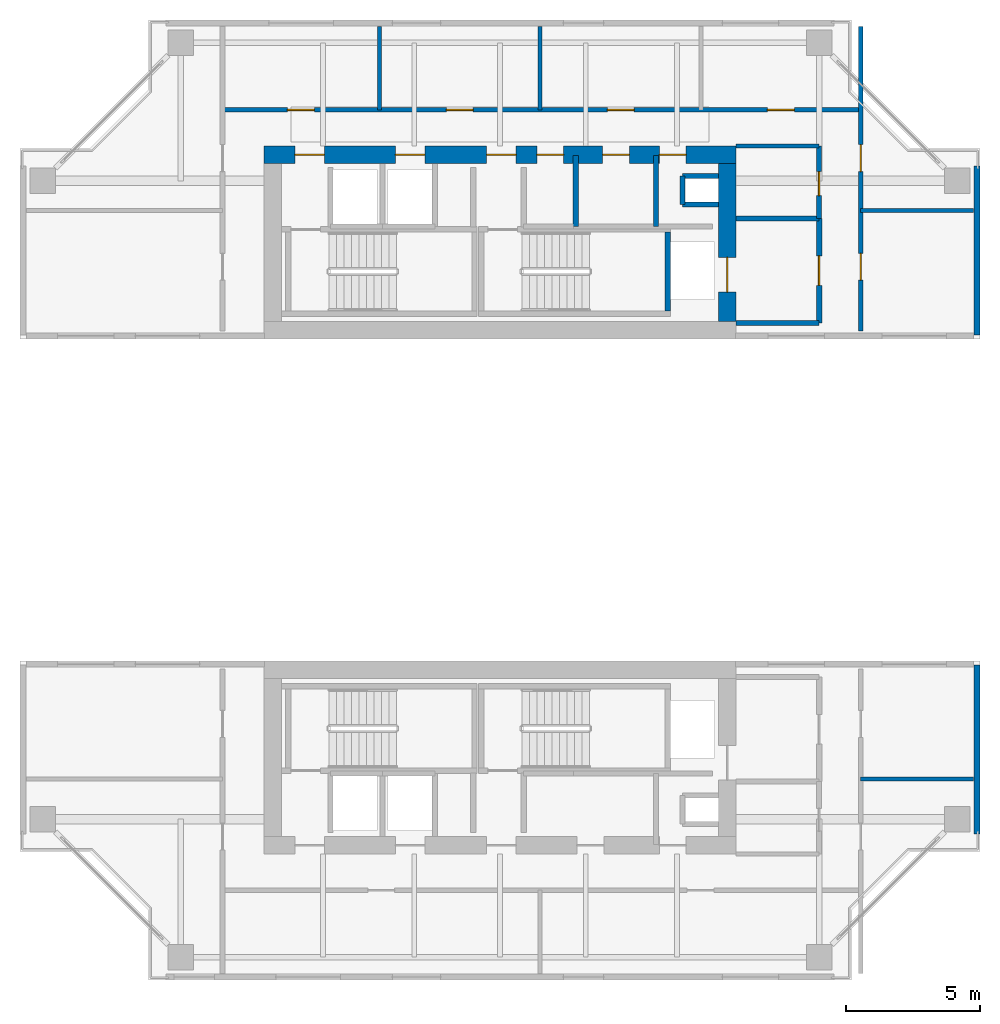
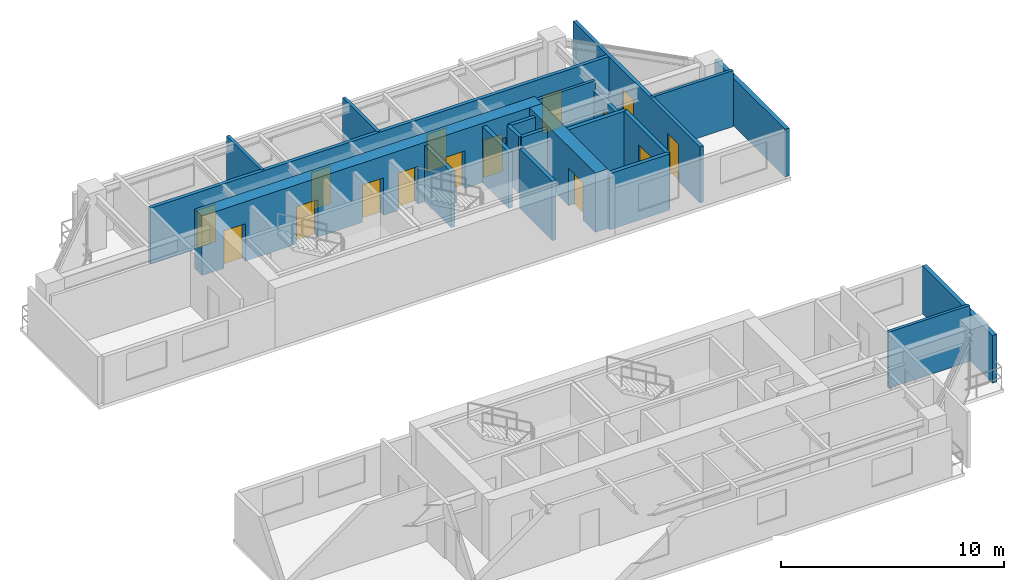
# One storey, part 9 of 12: 21 walls, 15 doors, 15 openings.
"""IFC4 building model written with IfcOpenShell, lengths in metres."""

import ifcopenshell
import ifcopenshell.guid

model = None  # the IFC model being written
_history = None  # IfcOwnerHistory: only IFC2X3 demands one
_inside = {}  # id of a spatial element -> (the spatial element, [elements in it])
_under = {}  # id of a project, library or spatial element -> (it, [spatial elements below it])
_declared = {}  # id of a project -> (the project, [libraries it declares])
_typed = {}  # id of a type object -> (the type object, [elements of that type])
_made_of = {}  # id of a material, layer set ... -> (it, [elements and type objects made of it])


def new_model(schema):
    """Start an empty IFC model of exactly this schema.

    Asked for "IFC4X3", IfcOpenShell would pick the latest addendum, in which some entities
    have other attributes; the version numbers below select the first issue.
    IFC2X3 requires an IfcOwnerHistory on every rooted entity: one is made here for all.
    """
    global model, _history
    if schema == "IFC4X3":
        model = ifcopenshell.file(schema_version=(4, 3, 0, 0))
    else:
        model = ifcopenshell.file(schema=schema)
    _inside.clear()
    _under.clear()
    _declared.clear()
    _typed.clear()
    _made_of.clear()
    _history = None
    if model.schema == "IFC2X3":
        org = make("IfcOrganization", Name="unknown")
        user = make(
            "IfcPersonAndOrganization",
            ThePerson=make("IfcPerson", FamilyName="unknown"),
            TheOrganization=org,
        )
        app = make(
            "IfcApplication",
            ApplicationDeveloper=org,
            Version="unknown",
            ApplicationFullName="unknown",
            ApplicationIdentifier="unknown",
        )
        _history = make(
            "IfcOwnerHistory",
            OwningUser=user,
            OwningApplication=app,
            ChangeAction="ADDED",
            CreationDate=0,
        )
    return model


def make(cls, **values):
    """One entity of the class cls with the attributes given. An attribute that is None is left unset."""
    return model.create_entity(
        cls, **{name: value for name, value in values.items() if value is not None}
    )


def rooted(cls, **values):
    """An entity with a GlobalId (a new one), such as an element, a storey or a relation."""
    return make(cls, GlobalId=ifcopenshell.guid.new(), OwnerHistory=_history, **values)


def si_unit(unit_type, name, prefix=None):
    """IfcSIUnit, for example si_unit("LENGTHUNIT", "METRE", prefix="MILLI")."""
    return make("IfcSIUnit", UnitType=unit_type, Prefix=prefix, Name=name)


def assignment(units):
    """IfcUnitAssignment: the units of a project."""
    return None if units is None else make("IfcUnitAssignment", Units=units)


def point(xyz):
    """IfcCartesianPoint."""
    return None if xyz is None else make("IfcCartesianPoint", Coordinates=xyz)


def direction(xyz):
    """IfcDirection."""
    return None if xyz is None else make("IfcDirection", DirectionRatios=xyz)


def frame(location, z_axis=None, x_axis=None):
    """IfcAxis2Placement3D, a coordinate frame: its origin and axes. An axis left out is left unset."""
    return make(
        "IfcAxis2Placement3D",
        Location=point(location),
        Axis=direction(z_axis),
        RefDirection=direction(x_axis),
    )


def frame_2d(location, x_axis=None):
    """IfcAxis2Placement2D, a coordinate frame in the plane: its origin and x axis."""
    return make(
        "IfcAxis2Placement2D", Location=point(location), RefDirection=direction(x_axis)
    )


def origin():
    """The frame at (0, 0, 0) with its axes left unset."""
    return frame((0.0, 0.0, 0.0))


def place(relative_to, where):
    """IfcLocalPlacement: puts the frame where relative to a parent placement (None: the world)."""
    return make(
        "IfcLocalPlacement", PlacementRelTo=relative_to, RelativePlacement=where
    )


def context(
    kind, dimensions, precision=None, world=None, true_north=None, identifier=None
):
    """IfcGeometricRepresentationContext, for example the 3D "Model" context."""
    return make(
        "IfcGeometricRepresentationContext",
        ContextIdentifier=identifier,
        ContextType=kind,
        CoordinateSpaceDimension=dimensions,
        Precision=precision,
        WorldCoordinateSystem=world,
        TrueNorth=true_north,
    )


def subcontext(parent, identifier, kind, view, scale=None):
    """IfcGeometricRepresentationSubContext, for example "Body" below "Model"."""
    return make(
        "IfcGeometricRepresentationSubContext",
        ContextIdentifier=identifier,
        ContextType=kind,
        ParentContext=parent,
        TargetScale=scale,
        TargetView=view,
    )


def project(units=None, contexts=None):
    """IfcProject with its units and contexts."""
    return rooted(
        "IfcProject",
        Name="project",
        RepresentationContexts=contexts,
        UnitsInContext=assignment(units),
    )


def spatial(cls, under=None, at=None, **own):
    """A site, building, storey or space (cls), placed at a placement, below another one or the project."""
    s = rooted(cls, ObjectPlacement=at, **own)
    if under is not None:
        _under.setdefault(under.id(), (under, []))[1].append(s)
    return s


def profile(cls, at=None, kind="AREA", **sizes):
    """A parametric profile (cls). Its sizes go by their IFC names, for example OverallWidth=200.0."""
    return make(cls, ProfileType=kind, Position=at, **sizes)


def rectangle(**sizes):
    """IfcRectangleProfileDef."""
    return profile("IfcRectangleProfileDef", **sizes)


def extrude(swept, where, along, depth):
    """IfcExtrudedAreaSolid: the profile swept, set in the frame where, extruded along a direction by depth."""
    return make(
        "IfcExtrudedAreaSolid",
        SweptArea=swept,
        Position=where,
        ExtrudedDirection=direction(along),
        Depth=depth,
    )


def shape(context_of_items, identifier, shape_type, items):
    """IfcShapeRepresentation: the items that make up one representation, for example the "Body"."""
    return make(
        "IfcShapeRepresentation",
        ContextOfItems=context_of_items,
        RepresentationIdentifier=identifier,
        RepresentationType=shape_type,
        Items=items,
    )


def source(mapping_origin, context_of_items, identifier, shape_type, items):
    """IfcRepresentationMap: a shape defined once, which mapped items show again and again."""
    return make(
        "IfcRepresentationMap",
        MappingOrigin=mapping_origin,
        MappedRepresentation=shape(context_of_items, identifier, shape_type, items),
    )


def transform(
    local_origin,
    x_axis=None,
    y_axis=None,
    z_axis=None,
    scale=None,
    scale2=None,
    scale3=None,
    uniform=True,
):
    """IfcCartesianTransformationOperator3D, or its non-uniform kind. x_axis, y_axis, z_axis: its Axis1, 2, 3."""
    if uniform:
        return make(
            "IfcCartesianTransformationOperator3D",
            Axis1=direction(x_axis),
            Axis2=direction(y_axis),
            LocalOrigin=point(local_origin),
            Scale=scale,
            Axis3=direction(z_axis),
        )
    return make(
        "IfcCartesianTransformationOperator3DnonUniform",
        Axis1=direction(x_axis),
        Axis2=direction(y_axis),
        LocalOrigin=point(local_origin),
        Scale=scale,
        Axis3=direction(z_axis),
        Scale2=scale2,
        Scale3=scale3,
    )


def mapped(mapping_source, mapping_target):
    """IfcMappedItem: shows the shape of a source again, moved by a transform."""
    return make(
        "IfcMappedItem", MappingSource=mapping_source, MappingTarget=mapping_target
    )


def material(Name=None, Category=None):
    """IfcMaterial."""
    return make("IfcMaterial", Name=Name, Category=Category)


def layer(
    of_material, thickness, ventilated=None, Name=None, Category=None, Priority=None
):
    """IfcMaterialLayer: one layer of a wall or slab, of a material (None: an air gap)."""
    return make(
        "IfcMaterialLayer",
        Material=of_material,
        LayerThickness=thickness,
        IsVentilated=ventilated,
        Name=Name,
        Category=Category,
        Priority=Priority,
    )


def layer_set(layers, Name=None):
    """IfcMaterialLayerSet."""
    return make("IfcMaterialLayerSet", MaterialLayers=layers, LayerSetName=Name)


def made_of(thing, what):
    """Note that an element or type object is made of a material, layer set ...; save() writes the relation."""
    if what is not None:
        _made_of.setdefault(what.id(), (what, []))[1].append(thing)
    return thing


def type_object(cls, material=None, **own):
    """A type object (cls), such as IfcWallType, which elements share."""
    return made_of(rooted(cls, **own), material)


def element(
    cls,
    number,
    at=None,
    inside=None,
    cuts=None,
    type_object=None,
    material=None,
    context=None,
    identifier="Body",
    shape_type=None,
    held_by="IfcProductDefinitionShape",
    body=None,
    shapes=None,
    **own,
):
    """One element of the class cls, such as IfcWall. Its Tag is "e" and its number.

    at: its placement. inside: the storey or other place that contains it. cuts: it is an
    opening in that element (IfcRelVoidsElement). A single representation is given by context,
    identifier, shape_type and body (its items); several are given by shapes. held_by: the class
    of the entity that holds the representations. save() writes the other relations.
    """
    e = rooted(cls, Tag="e%d" % number, ObjectPlacement=at, **own)
    if body is not None:
        shapes = [shape(context, identifier, shape_type, body)]
    if shapes is not None:
        e.Representation = make(held_by, Representations=shapes)
    if inside is not None:
        _inside.setdefault(inside.id(), (inside, []))[1].append(e)
    if cuts is not None:
        rooted(
            "IfcRelVoidsElement", RelatingBuildingElement=cuts, RelatedOpeningElement=e
        )
    if type_object is not None:
        _typed.setdefault(type_object.id(), (type_object, []))[1].append(e)
    return made_of(e, material)


def fill(opening, filler):
    """IfcRelFillsElement: the door or window that sits in an opening."""
    return rooted(
        "IfcRelFillsElement",
        RelatingOpeningElement=opening,
        RelatedBuildingElement=filler,
    )


def aggregate(whole, parts):
    """IfcRelAggregates: a whole, such as a stair, and the parts it consists of."""
    return rooted("IfcRelAggregates", RelatingObject=whole, RelatedObjects=parts)


def save(model, path):
    """Write the relations noted so far, then the file.

    IfcRelAggregates (storeys below a building ...), IfcRelContainedInSpatialStructure (elements
    in a storey), IfcRelDefinesByType, IfcRelAssociatesMaterial and IfcRelDeclares: one each for
    every whole, place, type object, material and project.
    """
    for whole, parts in _under.values():
        aggregate(whole, parts)
    for where, things in _inside.values():
        rooted(
            "IfcRelContainedInSpatialStructure",
            RelatedElements=things,
            RelatingStructure=where,
        )
    for kind, things in _typed.values():
        rooted("IfcRelDefinesByType", RelatedObjects=things, RelatingType=kind)
    for what, things in _made_of.values():
        rooted("IfcRelAssociatesMaterial", RelatedObjects=things, RelatingMaterial=what)
    for by, libraries in _declared.values():
        rooted("IfcRelDeclares", RelatingContext=by, RelatedDefinitions=libraries)
    model.write(path)


model = new_model("IFC4")

# Units and contexts
model_context = context("Model", 3, precision=1e-05, world=origin(), true_north=direction((0.0, 1.0)))
body_context = subcontext(model_context, "Body", "Model", "MODEL_VIEW")
ifc_project = project(units=[si_unit("LENGTHUNIT", "METRE"), si_unit("AREAUNIT", "SQUARE_METRE"), si_unit("VOLUMEUNIT", "CUBIC_METRE"), si_unit("PLANEANGLEUNIT", "RADIAN"), si_unit("MASSUNIT", "GRAM", prefix="KILO"), si_unit("THERMODYNAMICTEMPERATUREUNIT", "KELVIN"), si_unit("POWERUNIT", "WATT")], contexts=[model_context])

# Site, building, storey
site_placement = place(None, origin())
site = spatial("IfcSite", under=ifc_project, at=site_placement, CompositionType="ELEMENT")
building_placement = place(site_placement, origin())
building = spatial("IfcBuilding", under=site, at=building_placement, Name="Qiaomeng Ring Towers", CompositionType="ELEMENT")
storey_placement = place(building_placement, frame((0.0, 0.0, 166.5)))
storey = spatial("IfcBuildingStorey", under=building, at=storey_placement, Name="L48", CompositionType="ELEMENT", Elevation=166.5)

# Walls
ifc_material_1 = material(Name="Precast concrete C40", Category="concrete")
ifc_layer_1 = layer(ifc_material_1, 0.219970703125, Name="Precast concrete C40")
ifc_layer_set_1 = layer_set([ifc_layer_1], Name="Precast concrete C40")
wall_type_1 = type_object("IfcWallType", Name="ARC-WL-EW2", PredefinedType="STANDARD", material=ifc_layer_set_1)
for number, where, z_axis, x_axis, name in (
    (1, (36.7900390625, 29.14990234375, 0.0), (0.0, 0.0, 1.0), (0.0, 1.0, 0.0), "L48 Portal Wing Side Wall NWING-EL"),
    (2, (36.7900390625, 10.550048828125, 0.0), (0.0, 0.0, 1.0), (0.0, 1.0, 0.0), "L48 Portal Wing Side Wall SWING-EL"),
):
    element("IfcWall", number, at=place(storey_placement, frame(where, z_axis=z_axis, x_axis=x_axis)), inside=storey, type_object=wall_type_1, Name=name, PredefinedType="STANDARD", context=body_context, shape_type="SweptSolid", body=[
        extrude(rectangle(XDim=6.300048828125, YDim=0.219970703125, at=frame_2d((3.14990234375, 0.0))), origin(), (0.0, 0.0, 1.0), 2.610107421875),
    ])
ifc_material_2 = material(Name="Autoclaved aerated concrete block", Category="concrete")
ifc_layer_2 = layer(ifc_material_2, 0.199951171875, Name="Autoclaved aerated concrete block")
ifc_layer_set_2 = layer_set([ifc_layer_2], Name="Autoclaved aerated concrete block")
wall_type_2 = type_object("IfcWallType", Name="ARC-WL-PW1", PredefinedType="PARTITIONING", material=ifc_layer_set_2)
for number, where, z_axis, x_axis, name in (
    (3, (27.800048828125, 29.60009765625, 0.0), (0.0, 0.0, 1.0), (1.0, 0.0, 0.0), "L48 Interior Wall PW1"),
    (4, (27.800048828125, 33.5, 0.0), (0.0, 0.0, 1.0), (1.0, 0.0, 0.0), "L48 Interior Wall PW1"),
):
    element("IfcWall", number, at=place(storey_placement, frame(where, z_axis=z_axis, x_axis=x_axis)), inside=storey, type_object=wall_type_2, Name=name, PredefinedType="PARTITIONING", context=body_context, shape_type="SweptSolid", body=[
        extrude(rectangle(XDim=3.099853515625, YDim=0.199951171875, at=frame_2d((1.5498046875, 0.0))), origin(), (0.0, 0.0, 1.0), 3.070068359375),
    ])

# Wall, opening, door
wall_1_placement = place(storey_placement, frame((30.89990234375, 29.60009765625, 0.0), z_axis=(0.0, 0.0, 1.0), x_axis=(0.0, 1.0, 0.0)))
wall_1 = element("IfcWall", 5, at=wall_1_placement, inside=storey, type_object=wall_type_2, Name="L48 Interior Wall PW1", PredefinedType="PARTITIONING", context=body_context, shape_type="SweptSolid", body=[
    extrude(rectangle(XDim=3.89990234375, YDim=0.199951171875, at=frame_2d((1.949951171875, 0.0))), origin(), (0.0, 0.0, 1.0), 3.070068359375),
])
opening_1_placement = place(wall_1_placement, frame((1.39990234375, 0.0, 0.0)))
opening_1 = element("IfcOpeningElement", 6, at=opening_1_placement, cuts=wall_1, Name="Opening FD3", PredefinedType="OPENING", context=body_context, shape_type="SweptSolid", body=[
    extrude(rectangle(XDim=1.10009765625, YDim=2.050048828125, at=frame_2d((0.550048828125, 1.02490234375))), frame((0.0, 0.10986328125, 0.0), z_axis=(0.0, -1.0, 0.0), x_axis=(1.0, 0.0, 0.0)), (0.0, 0.0, 1.0), 0.219970703125),
])
ifc_material_3 = material(Name="Galvanised steel", Category="steel")
door_type_1 = type_object("IfcDoorType", Name="ARC-DR-FD3", OperationType="NOTDEFINED", PredefinedType="DOOR", material=ifc_material_3)
shared_shape_1 = source(origin(), body_context, "Body", "SweptSolid", [
    extrude(rectangle(XDim=1.10009765625, YDim=2.050048828125, at=frame_2d((0.550048828125, 1.02490234375))), frame((0.0, 0.02490234375, 0.0), z_axis=(0.0, -1.0, 0.0), x_axis=(1.0, 0.0, 0.0)), (0.0, 0.0, 1.0), 0.050048828125),
])
door_1_placement = place(opening_1_placement, origin())
door_1 = element("IfcDoor", 7, at=door_1_placement, inside=storey, type_object=door_type_1, Name="L48 North FF Lobby Door", OperationType="SINGLE_SWING_LEFT", OverallHeight=2.050048828125, OverallWidth=1.10009765625, PredefinedType="DOOR", context=body_context, shape_type="MappedRepresentation", body=[
    mapped(shared_shape_1, transform((0.0, 0.0, 0.0), x_axis=(1.0, 0.0, 0.0), y_axis=(0.0, 1.0, 0.0), z_axis=(0.0, 0.0, 1.0), scale=1.0)),
])
fill(opening_1, door_1)

# Walls
for number, where, z_axis, x_axis, name in (
    (8, (24.820068359375, 33.199951171875, 0.0), (0.0, 0.0, 1.0), (0.0, 1.0, 0.0), "L48 Interior Wall PW1"),
    (9, (21.830078125, 33.199951171875, 0.0), (0.0, 0.0, 1.0), (0.0, 1.0, 0.0), "L48 Interior Wall PW1"),
):
    element("IfcWall", number, at=place(storey_placement, frame(where, z_axis=z_axis, x_axis=x_axis)), inside=storey, type_object=wall_type_2, Name=name, PredefinedType="PARTITIONING", context=body_context, shape_type="SweptSolid", body=[
        extrude(rectangle(XDim=2.650146484375, YDim=0.199951171875, at=frame_2d((1.3251953125, 0.0))), origin(), (0.0, 0.0, 1.0), 3.070068359375),
    ])

# Wall, opening, door
ifc_layer_3 = layer(ifc_material_2, 0.179931640625, Name="Autoclaved aerated concrete block")
ifc_layer_set_3 = layer_set([ifc_layer_3], Name="Autoclaved aerated concrete block")
wall_type_3 = type_object("IfcWallType", Name="ARC-WL-PW2", PredefinedType="PARTITIONING", material=ifc_layer_set_3)
wall_2_placement = place(storey_placement, frame((30.89990234375, 33.5, 0.0), z_axis=(0.0, 0.0, 1.0), x_axis=(0.0, 1.0, 0.0)))
wall_2 = element("IfcWall", 10, at=wall_2_placement, inside=storey, type_object=wall_type_3, Name="L48 Interior Wall PW2", PredefinedType="PARTITIONING", context=body_context, shape_type="SweptSolid", body=[
    extrude(rectangle(XDim=2.699951171875, YDim=0.179931640625, at=frame_2d((1.35009765625, 0.0))), origin(), (0.0, 0.0, 1.0), 2.56494140625),
])
opening_2_placement = place(wall_2_placement, frame((0.85009765625, 0.0, 0.0)))
opening_2 = element("IfcOpeningElement", 11, at=opening_2_placement, cuts=wall_2, Name="Opening ID1", PredefinedType="OPENING", context=body_context, shape_type="SweptSolid", body=[
    extrude(rectangle(XDim=0.89990234375, YDim=2.050048828125, at=frame_2d((0.449951171875, 1.02490234375))), frame((0.0, 0.099853515625, 0.0), z_axis=(0.0, -1.0, 0.0), x_axis=(1.0, 0.0, 0.0)), (0.0, 0.0, 1.0), 0.199951171875),
])
ifc_material_4 = material(Name="Engineered oak timber", Category="wood")
door_type_2 = type_object("IfcDoorType", Name="ARC-DR-ID1", OperationType="NOTDEFINED", PredefinedType="DOOR", material=ifc_material_4)
shared_shape_2 = source(origin(), body_context, "Body", "SweptSolid", [
    extrude(rectangle(XDim=0.89990234375, YDim=2.050048828125, at=frame_2d((0.449951171875, 1.02490234375))), frame((0.0, 0.02490234375, 0.0), z_axis=(0.0, -1.0, 0.0), x_axis=(1.0, 0.0, 0.0)), (0.0, 0.0, 1.0), 0.050048828125),
])
door_2_placement = place(opening_2_placement, origin())
door_2 = element("IfcDoor", 12, at=door_2_placement, inside=storey, type_object=door_type_2, Name="L48 Door ID1", OperationType="SINGLE_SWING_RIGHT", OverallHeight=2.050048828125, OverallWidth=0.89990234375, PredefinedType="DOOR", context=body_context, shape_type="MappedRepresentation", body=[
    mapped(shared_shape_2, transform((0.0, 0.0, 0.0), x_axis=(1.0, 0.0, 0.0), y_axis=(0.0, 1.0, 0.0), z_axis=(0.0, 0.0, 1.0), scale=1.0)),
])
fill(opening_2, door_2)

# Wall, openings, doors
wall_3_placement = place(storey_placement, frame((32.449951171875, 29.300048828125, 0.0), z_axis=(0.0, 0.0, 1.0), x_axis=(0.0, 1.0, 0.0)))
wall_3 = element("IfcWall", 13, at=wall_3_placement, inside=storey, type_object=wall_type_3, Name="L48 Interior Wall PW2", PredefinedType="PARTITIONING", context=body_context, shape_type="SweptSolid", body=[
    extrude(rectangle(XDim=11.349853515625, YDim=0.179931640625, at=frame_2d((5.6748046875, 0.0))), origin(), (0.0, 0.0, 1.0), 3.070068359375),
])
opening_3_placement = place(wall_3_placement, frame((1.89990234375, 0.0, 0.0)))
opening_3 = element("IfcOpeningElement", 14, at=opening_3_placement, cuts=wall_3, Name="Opening FD4", PredefinedType="OPENING", context=body_context, shape_type="SweptSolid", body=[
    extrude(rectangle(XDim=1.0, YDim=2.050048828125, at=frame_2d((0.5, 1.02490234375))), frame((0.0, 0.099853515625, 0.0), z_axis=(0.0, -1.0, 0.0), x_axis=(1.0, 0.0, 0.0)), (0.0, 0.0, 1.0), 0.199951171875),
])
opening_4_placement = place(wall_3_placement, frame((5.949951171875, 0.0, 0.0)))
opening_4 = element("IfcOpeningElement", 15, at=opening_4_placement, cuts=wall_3, Name="Opening FD4", PredefinedType="OPENING", context=body_context, shape_type="SweptSolid", body=[
    extrude(rectangle(XDim=1.0, YDim=2.050048828125, at=frame_2d((0.5, 1.02490234375))), frame((0.0, 0.099853515625, 0.0), z_axis=(0.0, -1.0, 0.0), x_axis=(1.0, 0.0, 0.0)), (0.0, 0.0, 1.0), 0.199951171875),
])
ifc_material_5 = material(Name="Engineered fire-rated oak timber", Category="wood")
door_type_3 = type_object("IfcDoorType", Name="ARC-DR-FD4", OperationType="NOTDEFINED", PredefinedType="DOOR", material=ifc_material_5)
shared_shape_3 = source(origin(), body_context, "Body", "SweptSolid", [
    extrude(rectangle(XDim=1.0, YDim=2.050048828125, at=frame_2d((0.5, 1.02490234375))), frame((0.0, 0.02490234375, 0.0), z_axis=(0.0, -1.0, 0.0), x_axis=(1.0, 0.0, 0.0)), (0.0, 0.0, 1.0), 0.050048828125),
])
door_3_placement = place(opening_3_placement, origin())
door_3 = element("IfcDoor", 16, at=door_3_placement, inside=storey, type_object=door_type_3, Name="L48 Door FD4", OperationType="SINGLE_SWING_RIGHT", OverallHeight=2.050048828125, OverallWidth=1.0, PredefinedType="DOOR", context=body_context, shape_type="MappedRepresentation", body=[
    mapped(shared_shape_3, transform((0.0, 0.0, 0.0), x_axis=(1.0, 0.0, 0.0), y_axis=(0.0, 1.0, 0.0), z_axis=(0.0, 0.0, 1.0), scale=1.0)),
])
fill(opening_3, door_3)
door_4_placement = place(opening_4_placement, origin())
door_4 = element("IfcDoor", 17, at=door_4_placement, inside=storey, type_object=door_type_3, Name="L48 Door FD4", OperationType="SINGLE_SWING_LEFT", OverallHeight=2.050048828125, OverallWidth=1.0, PredefinedType="DOOR", context=body_context, shape_type="MappedRepresentation", body=[
    mapped(shared_shape_3, transform((0.0, 0.0, 0.0), x_axis=(1.0, 0.0, 0.0), y_axis=(0.0, 1.0, 0.0), z_axis=(0.0, 0.0, 1.0), scale=1.0)),
])
fill(opening_4, door_4)

wall_4_placement = place(storey_placement, frame((8.64990234375, 37.550048828125, 0.0), z_axis=(0.0, 0.0, 1.0), x_axis=(1.0, 0.0, 0.0)))
wall_4 = element("IfcWall", 18, at=wall_4_placement, inside=storey, type_object=wall_type_3, Name="L48 Interior Wall PW2", PredefinedType="PARTITIONING", context=body_context, shape_type="SweptSolid", body=[
    extrude(rectangle(XDim=23.800048828125, YDim=0.179931640625, at=frame_2d((11.89990234375, 0.0))), origin(), (0.0, 0.0, 1.0), 3.070068359375),
])
opening_5_placement = place(wall_4_placement, frame((2.425048828125, 0.0, 0.0)))
opening_5 = element("IfcOpeningElement", 19, at=opening_5_placement, cuts=wall_4, Name="Opening FD4", PredefinedType="OPENING", context=body_context, shape_type="SweptSolid", body=[
    extrude(rectangle(XDim=1.0, YDim=2.050048828125, at=frame_2d((0.5, 1.02490234375))), frame((0.0, 0.099853515625, 0.0), z_axis=(0.0, -1.0, 0.0), x_axis=(1.0, 0.0, 0.0)), (0.0, 0.0, 1.0), 0.199951171875),
])
opening_6_placement = place(wall_4_placement, frame((8.35009765625, 0.0, 0.0)))
opening_6 = element("IfcOpeningElement", 20, at=opening_6_placement, cuts=wall_4, Name="Opening FD4", PredefinedType="OPENING", context=body_context, shape_type="SweptSolid", body=[
    extrude(rectangle(XDim=1.0, YDim=2.050048828125, at=frame_2d((0.5, 1.02490234375))), frame((0.0, 0.099853515625, 0.0), z_axis=(0.0, -1.0, 0.0), x_axis=(1.0, 0.0, 0.0)), (0.0, 0.0, 1.0), 0.199951171875),
])
opening_7_placement = place(wall_4_placement, frame((14.35009765625, 0.0, 0.0)))
opening_7 = element("IfcOpeningElement", 21, at=opening_7_placement, cuts=wall_4, Name="Opening FD4", PredefinedType="OPENING", context=body_context, shape_type="SweptSolid", body=[
    extrude(rectangle(XDim=1.0, YDim=2.050048828125, at=frame_2d((0.5, 1.02490234375))), frame((0.0, 0.099853515625, 0.0), z_axis=(0.0, -1.0, 0.0), x_axis=(1.0, 0.0, 0.0)), (0.0, 0.0, 1.0), 0.199951171875),
])
opening_8_placement = place(wall_4_placement, frame((20.324951171875, 0.0, 0.0)))
opening_8 = element("IfcOpeningElement", 22, at=opening_8_placement, cuts=wall_4, Name="Opening FD4", PredefinedType="OPENING", context=body_context, shape_type="SweptSolid", body=[
    extrude(rectangle(XDim=1.0, YDim=2.050048828125, at=frame_2d((0.5, 1.02490234375))), frame((0.0, 0.099853515625, 0.0), z_axis=(0.0, -1.0, 0.0), x_axis=(1.0, 0.0, 0.0)), (0.0, 0.0, 1.0), 0.199951171875),
])
door_5_placement = place(opening_5_placement, origin())
door_5 = element("IfcDoor", 23, at=door_5_placement, inside=storey, type_object=door_type_3, Name="L48 Door FD4", OperationType="SINGLE_SWING_RIGHT", OverallHeight=2.050048828125, OverallWidth=1.0, PredefinedType="DOOR", context=body_context, shape_type="MappedRepresentation", body=[
    mapped(shared_shape_3, transform((0.0, 0.0, 0.0), x_axis=(1.0, 0.0, 0.0), y_axis=(0.0, 1.0, 0.0), z_axis=(0.0, 0.0, 1.0), scale=1.0)),
])
fill(opening_5, door_5)
door_6_placement = place(opening_6_placement, origin())
door_6 = element("IfcDoor", 24, at=door_6_placement, inside=storey, type_object=door_type_3, Name="L48 Door FD4", OperationType="SINGLE_SWING_LEFT", OverallHeight=2.050048828125, OverallWidth=1.0, PredefinedType="DOOR", context=body_context, shape_type="MappedRepresentation", body=[
    mapped(shared_shape_3, transform((0.0, 0.0, 0.0), x_axis=(1.0, 0.0, 0.0), y_axis=(0.0, 1.0, 0.0), z_axis=(0.0, 0.0, 1.0), scale=1.0)),
])
fill(opening_6, door_6)
door_7_placement = place(opening_7_placement, origin())
door_7 = element("IfcDoor", 25, at=door_7_placement, inside=storey, type_object=door_type_3, Name="L48 Door FD4", OperationType="SINGLE_SWING_RIGHT", OverallHeight=2.050048828125, OverallWidth=1.0, PredefinedType="DOOR", context=body_context, shape_type="MappedRepresentation", body=[
    mapped(shared_shape_3, transform((0.0, 0.0, 0.0), x_axis=(1.0, 0.0, 0.0), y_axis=(0.0, 1.0, 0.0), z_axis=(0.0, 0.0, 1.0), scale=1.0)),
])
fill(opening_7, door_7)
door_8_placement = place(opening_8_placement, origin())
door_8 = element("IfcDoor", 26, at=door_8_placement, inside=storey, type_object=door_type_3, Name="L48 Door FD4", OperationType="SINGLE_SWING_LEFT", OverallHeight=2.050048828125, OverallWidth=1.0, PredefinedType="DOOR", context=body_context, shape_type="MappedRepresentation", body=[
    mapped(shared_shape_3, transform((0.0, 0.0, 0.0), x_axis=(1.0, 0.0, 0.0), y_axis=(0.0, 1.0, 0.0), z_axis=(0.0, 0.0, 1.0), scale=1.0)),
])
fill(opening_8, door_8)

# Walls
ifc_material_6 = material(Name="Gypsum fireboard steel-stud partition", Category="steel")
ifc_layer_4 = layer(ifc_material_6, 0.14990234375, Name="Gypsum fireboard steel-stud partition")
ifc_layer_set_4 = layer_set([ifc_layer_4], Name="Gypsum fireboard steel-stud partition")
wall_type_4 = type_object("IfcWallType", Name="ARC-WL-PW3", PredefinedType="PARTITIONING", material=ifc_layer_set_4)
wall_5_placement = place(storey_placement, frame((27.800048828125, 36.199951171875, 0.0), z_axis=(0.0, 0.0, 1.0), x_axis=(1.0, 0.0, 0.0)))
element("IfcWall", 27, at=wall_5_placement, inside=storey, type_object=wall_type_4, Name="L48 Interior Wall PW3", PredefinedType="PARTITIONING", context=body_context, shape_type="SweptSolid", body=[
    extrude(rectangle(XDim=3.099853515625, YDim=0.14990234375, at=frame_2d((1.5498046875, 0.0))), origin(), (0.0, 0.0, 1.0), 3.070068359375),
])
wall_6_placement = place(storey_placement, frame((32.449951171875, 33.800048828125, 0.0), z_axis=(0.0, 0.0, 1.0), x_axis=(1.0, 0.0, 0.0)))
element("IfcWall", 28, at=wall_6_placement, inside=storey, type_object=wall_type_4, Name="L48 Interior Wall PW3", PredefinedType="PARTITIONING", context=body_context, shape_type="SweptSolid", body=[
    extrude(rectangle(XDim=4.199951171875, YDim=0.14990234375, at=frame_2d((2.10009765625, 0.0))), origin(), (0.0, 0.0, 1.0), 3.070068359375),
])
for number, where, z_axis, x_axis, name in (
    (29, (14.5, 37.550048828125, 0.0), (0.0, 0.0, 1.0), (0.0, 1.0, 0.0), "L48 Interior Wall PW3"),
    (30, (20.5, 37.550048828125, 0.0), (0.0, 0.0, 1.0), (0.0, 1.0, 0.0), "L48 Interior Wall PW3"),
):
    element("IfcWall", number, at=place(storey_placement, frame(where, z_axis=z_axis, x_axis=x_axis)), inside=storey, type_object=wall_type_4, Name=name, PredefinedType="PARTITIONING", context=body_context, shape_type="SweptSolid", body=[
        extrude(rectangle(XDim=3.099853515625, YDim=0.14990234375, at=frame_2d((1.5498046875, 0.0))), origin(), (0.0, 0.0, 1.0), 3.070068359375),
    ])
wall_7_placement = place(storey_placement, frame((32.449951171875, 12.60009765625, 0.0), z_axis=(0.0, 0.0, 1.0), x_axis=(1.0, 0.0, 0.0)))
element("IfcWall", 31, at=wall_7_placement, inside=storey, type_object=wall_type_4, Name="L48 Interior Wall PW3", PredefinedType="PARTITIONING", context=body_context, shape_type="SweptSolid", body=[
    extrude(rectangle(XDim=4.199951171875, YDim=0.14990234375, at=frame_2d((2.10009765625, 0.0))), origin(), (0.0, 0.0, 1.0), 3.070068359375),
])
ifc_material_7 = material(Name="Concrete C40", Category="concrete")
ifc_layer_5 = layer(ifc_material_7, 0.199951171875, Name="Concrete C40")
ifc_layer_set_5 = layer_set([ifc_layer_5], Name="Concrete C40")
wall_type_5 = type_object("IfcWallType", Name="STR-WL-STSHAFT", PredefinedType="SHEAR", material=ifc_layer_set_5)
wall_8_placement = place(storey_placement, frame((25.800048828125, 34.02001953125, 0.0), z_axis=(0.0, 0.0, 1.0), x_axis=(0.0, 1.0, 0.0)))
element("IfcWall", 32, at=wall_8_placement, inside=storey, type_object=wall_type_5, Name="L48 Riser RSR1 West Shaft Wall N", PredefinedType="SHEAR", context=body_context, shape_type="SweptSolid", body=[
    extrude(rectangle(XDim=1.06005859375, YDim=0.179931640625, at=frame_2d((0.530029296875, 0.0))), origin(), (0.0, 0.0, 1.0), 3.070068359375),
])
for number, where, z_axis, x_axis, name in (
    (33, (25.800048828125, 35.080078125, 0.0), (0.0, 0.0, 1.0), (1.0, 0.0, 0.0), "L48 Riser RSR1 North Shaft Wall N"),
    (34, (25.800048828125, 34.02001953125, 0.0), (0.0, 0.0, 1.0), (1.0, 0.0, 0.0), "L48 Riser RSR1 South Shaft Wall N"),
):
    element("IfcWall", number, at=place(storey_placement, frame(where, z_axis=z_axis, x_axis=x_axis)), inside=storey, type_object=wall_type_5, Name=name, PredefinedType="SHEAR", context=body_context, shape_type="SweptSolid", body=[
        extrude(rectangle(XDim=1.349853515625, YDim=0.179931640625, at=frame_2d((0.6748046875, 0.0))), origin(), (0.0, 0.0, 1.0), 3.070068359375),
    ])
wall_9_placement = place(storey_placement, frame((25.25, 30.050048828125, 0.0), z_axis=(0.0, 0.0, 1.0), x_axis=(0.0, 1.0, 0.0)))
element("IfcWall", 35, at=wall_9_placement, inside=storey, type_object=wall_type_5, Name="L48 Stair ST2 East Shaft Shear Wall", PredefinedType="SHEAR", context=body_context, shape_type="SweptSolid", body=[
    extrude(rectangle(XDim=2.93994140625, YDim=0.199951171875, at=frame_2d((1.469970703125, 0.0))), origin(), (0.0, 0.0, 1.0), 3.25),
])

# Wall, openings, doors
ifc_material_8 = material(Name="Concrete C50", Category="concrete")
ifc_layer_6 = layer(ifc_material_8, 0.64990234375, Name="Concrete C50")
ifc_layer_set_6 = layer_set([ifc_layer_6], Name="Concrete C50")
wall_type_6 = type_object("IfcWallType", Name="STR-WL-SW2B", PredefinedType="SHEAR", material=ifc_layer_set_6)
wall_10_placement = place(storey_placement, frame((10.199951171875, 35.875, 0.0), z_axis=(0.0, 0.0, 1.0), x_axis=(1.0, 0.0, 0.0)))
wall_10 = element("IfcWall", 36, at=wall_10_placement, inside=storey, type_object=wall_type_6, Name="L48 T1NC north core shear wall", PredefinedType="SHEAR", context=body_context, shape_type="SweptSolid", body=[
    extrude(rectangle(XDim=17.60009765625, YDim=0.64990234375, at=frame_2d((8.800048828125, 0.0))), origin(), (0.0, 0.0, 1.0), 3.25),
])
opening_9_placement = place(wall_10_placement, frame((1.14990234375, 0.0, 0.0)))
opening_9 = element("IfcOpeningElement", 37, at=opening_9_placement, cuts=wall_10, Name="Opening FD3", PredefinedType="OPENING", context=body_context, shape_type="SweptSolid", body=[
    extrude(rectangle(XDim=1.10009765625, YDim=2.050048828125, at=frame_2d((0.550048828125, 1.02490234375))), frame((0.0, 0.3349609375, 0.0), z_axis=(0.0, -1.0, 0.0), x_axis=(1.0, 0.0, 0.0)), (0.0, 0.0, 1.0), 0.669921875),
])
opening_10_placement = place(wall_10_placement, frame((8.300048828125, 0.0, 0.0)))
opening_10 = element("IfcOpeningElement", 38, at=opening_10_placement, cuts=wall_10, Name="Opening FD3", PredefinedType="OPENING", context=body_context, shape_type="SweptSolid", body=[
    extrude(rectangle(XDim=1.10009765625, YDim=2.050048828125, at=frame_2d((0.550048828125, 1.02490234375))), frame((0.0, 0.3349609375, 0.0), z_axis=(0.0, -1.0, 0.0), x_axis=(1.0, 0.0, 0.0)), (0.0, 0.0, 1.0), 0.669921875),
])
opening_11_placement = place(wall_10_placement, frame((4.89990234375, 0.0, 0.0)))
opening_11 = element("IfcOpeningElement", 39, at=opening_11_placement, cuts=wall_10, Name="Opening LD1", PredefinedType="OPENING", context=body_context, shape_type="SweptSolid", body=[
    extrude(rectangle(XDim=1.10009765625, YDim=2.050048828125, at=frame_2d((0.550048828125, 1.02490234375))), frame((0.0, 0.3349609375, 0.0), z_axis=(0.0, -1.0, 0.0), x_axis=(1.0, 0.0, 0.0)), (0.0, 0.0, 1.0), 0.669921875),
])
opening_12_placement = place(wall_10_placement, frame((14.739990234375, 0.0, 0.0)))
opening_12 = element("IfcOpeningElement", 40, at=opening_12_placement, cuts=wall_10, Name="Opening FD1", PredefinedType="OPENING", context=body_context, shape_type="SweptSolid", body=[
    extrude(rectangle(XDim=1.0, YDim=2.050048828125, at=frame_2d((0.5, 1.02490234375))), frame((0.0, 0.3349609375, 0.0), z_axis=(0.0, -1.0, 0.0), x_axis=(1.0, 0.0, 0.0)), (0.0, 0.0, 1.0), 0.669921875),
])
opening_13_placement = place(wall_10_placement, frame((10.175048828125, 0.0, 0.0)))
opening_13 = element("IfcOpeningElement", 41, at=opening_13_placement, cuts=wall_10, Name="Opening FD1", PredefinedType="OPENING", context=body_context, shape_type="SweptSolid", body=[
    extrude(rectangle(XDim=1.0, YDim=2.050048828125, at=frame_2d((0.5, 1.02490234375))), frame((0.0, 0.3349609375, 0.0), z_axis=(0.0, -1.0, 0.0), x_axis=(1.0, 0.0, 0.0)), (0.0, 0.0, 1.0), 0.669921875),
])
opening_14_placement = place(wall_10_placement, frame((12.625, 0.0, 0.0)))
opening_14 = element("IfcOpeningElement", 42, at=opening_14_placement, cuts=wall_10, Name="Opening FD1", PredefinedType="OPENING", context=body_context, shape_type="SweptSolid", body=[
    extrude(rectangle(XDim=1.0, YDim=2.050048828125, at=frame_2d((0.5, 1.02490234375))), frame((0.0, 0.3349609375, 0.0), z_axis=(0.0, -1.0, 0.0), x_axis=(1.0, 0.0, 0.0)), (0.0, 0.0, 1.0), 0.669921875),
])
door_9_placement = place(opening_9_placement, origin())
door_9 = element("IfcDoor", 43, at=door_9_placement, inside=storey, type_object=door_type_1, Name="L48 Stair ST1 Lobby Door", OperationType="SINGLE_SWING_LEFT", OverallHeight=2.050048828125, OverallWidth=1.10009765625, PredefinedType="DOOR", context=body_context, shape_type="MappedRepresentation", body=[
    mapped(shared_shape_1, transform((0.0, 0.0, 0.0), x_axis=(1.0, 0.0, 0.0), y_axis=(0.0, 1.0, 0.0), z_axis=(0.0, 0.0, 1.0), scale=1.0)),
])
fill(opening_9, door_9)
door_10_placement = place(opening_10_placement, origin())
door_10 = element("IfcDoor", 44, at=door_10_placement, inside=storey, type_object=door_type_1, Name="L48 Stair ST2 Lobby Door", OperationType="SINGLE_SWING_LEFT", OverallHeight=2.050048828125, OverallWidth=1.10009765625, PredefinedType="DOOR", context=body_context, shape_type="MappedRepresentation", body=[
    mapped(shared_shape_1, transform((0.0, 0.0, 0.0), x_axis=(1.0, 0.0, 0.0), y_axis=(0.0, 1.0, 0.0), z_axis=(0.0, 0.0, 1.0), scale=1.0)),
])
fill(opening_10, door_10)
ifc_material_9 = material(Name="Stainless steel 316", Category="steel")
door_type_4 = type_object("IfcDoorType", Name="ARC-DR-LD1", OperationType="NOTDEFINED", PredefinedType="DOOR", material=ifc_material_9)
door_11_placement = place(opening_11_placement, origin())
door_11 = element("IfcDoor", 45, at=door_11_placement, inside=storey, type_object=door_type_4, Name="L48 Mid-Zone Lift LP3 Landing Door", OperationType="SLIDING_TO_LEFT", OverallHeight=2.050048828125, OverallWidth=1.10009765625, PredefinedType="DOOR", context=body_context, shape_type="MappedRepresentation", body=[
    mapped(shared_shape_1, transform((0.0, 0.0, 0.0), x_axis=(1.0, 0.0, 0.0), y_axis=(0.0, 1.0, 0.0), z_axis=(0.0, 0.0, 1.0), scale=1.0)),
])
fill(opening_11, door_11)
door_type_5 = type_object("IfcDoorType", Name="ARC-DR-FD1", OperationType="NOTDEFINED", PredefinedType="DOOR", material=ifc_material_3)
door_12_placement = place(opening_12_placement, origin())
door_12 = element("IfcDoor", 46, at=door_12_placement, inside=storey, type_object=door_type_5, Name="L48 North Electrical Riser Door", OperationType="SINGLE_SWING_LEFT", OverallHeight=2.050048828125, OverallWidth=1.0, PredefinedType="DOOR", context=body_context, shape_type="MappedRepresentation", body=[
    mapped(shared_shape_3, transform((0.0, 0.0, 0.0), x_axis=(1.0, 0.0, 0.0), y_axis=(0.0, 1.0, 0.0), z_axis=(0.0, 0.0, 1.0), scale=1.0)),
])
fill(opening_12, door_12)
door_13_placement = place(opening_13_placement, origin())
door_13 = element("IfcDoor", 47, at=door_13_placement, inside=storey, type_object=door_type_5, Name="L48 North Cleaners Store Door", OperationType="SINGLE_SWING_LEFT", OverallHeight=2.050048828125, OverallWidth=1.0, PredefinedType="DOOR", context=body_context, shape_type="MappedRepresentation", body=[
    mapped(shared_shape_3, transform((0.0, 0.0, 0.0), x_axis=(1.0, 0.0, 0.0), y_axis=(0.0, 1.0, 0.0), z_axis=(0.0, 0.0, 1.0), scale=1.0)),
])
fill(opening_13, door_13)
door_14_placement = place(opening_14_placement, origin())
door_14 = element("IfcDoor", 48, at=door_14_placement, inside=storey, type_object=door_type_5, Name="L48 North Telemetry Office Door", OperationType="SINGLE_SWING_RIGHT", OverallHeight=2.050048828125, OverallWidth=1.0, PredefinedType="DOOR", context=body_context, shape_type="MappedRepresentation", body=[
    mapped(shared_shape_3, transform((0.0, 0.0, 0.0), x_axis=(1.0, 0.0, 0.0), y_axis=(0.0, 1.0, 0.0), z_axis=(0.0, 0.0, 1.0), scale=1.0)),
])
fill(opening_14, door_14)

# Wall, opening, door
wall_11_placement = place(storey_placement, frame((27.47509765625, 29.64990234375, 0.0), z_axis=(0.0, 0.0, 1.0), x_axis=(0.0, 1.0, 0.0)))
wall_11 = element("IfcWall", 49, at=wall_11_placement, inside=storey, type_object=wall_type_6, Name="L48 T1NC east core shear wall", PredefinedType="SHEAR", context=body_context, shape_type="SweptSolid", body=[
    extrude(rectangle(XDim=5.900146484375, YDim=0.64990234375, at=frame_2d((2.9501953125, 0.0))), origin(), (0.0, 0.0, 1.0), 3.25),
])
opening_15_placement = place(wall_11_placement, frame((1.10009765625, 0.0, 0.0)))
opening_15 = element("IfcOpeningElement", 50, at=opening_15_placement, cuts=wall_11, Name="Opening LD2", PredefinedType="OPENING", context=body_context, shape_type="SweptSolid", body=[
    extrude(rectangle(XDim=1.300048828125, YDim=2.050048828125, at=frame_2d((0.64990234375, 1.02490234375))), frame((0.0, 0.3349609375, 0.0), z_axis=(0.0, -1.0, 0.0), x_axis=(1.0, 0.0, 0.0)), (0.0, 0.0, 1.0), 0.669921875),
])
door_type_6 = type_object("IfcDoorType", Name="ARC-DR-LD2", OperationType="NOTDEFINED", PredefinedType="DOOR", material=ifc_material_9)
shared_shape_4 = source(origin(), body_context, "Body", "SweptSolid", [
    extrude(rectangle(XDim=1.300048828125, YDim=2.050048828125, at=frame_2d((0.64990234375, 1.02490234375))), frame((0.0, 0.02490234375, 0.0), z_axis=(0.0, -1.0, 0.0), x_axis=(1.0, 0.0, 0.0)), (0.0, 0.0, 1.0), 0.050048828125),
])
door_15_placement = place(opening_15_placement, origin())
door_15 = element("IfcDoor", 51, at=door_15_placement, inside=storey, type_object=door_type_6, Name="L48 Firefighting Lift FL1 Landing Door", OperationType="SLIDING_TO_LEFT", OverallHeight=2.050048828125, OverallWidth=1.300048828125, PredefinedType="DOOR", context=body_context, shape_type="MappedRepresentation", body=[
    mapped(shared_shape_4, transform((0.0, 0.0, 0.0), x_axis=(1.0, 0.0, 0.0), y_axis=(0.0, 1.0, 0.0), z_axis=(0.0, 0.0, 1.0), scale=1.0)),
])
fill(opening_15, door_15)

save(model, "model.ifc")
